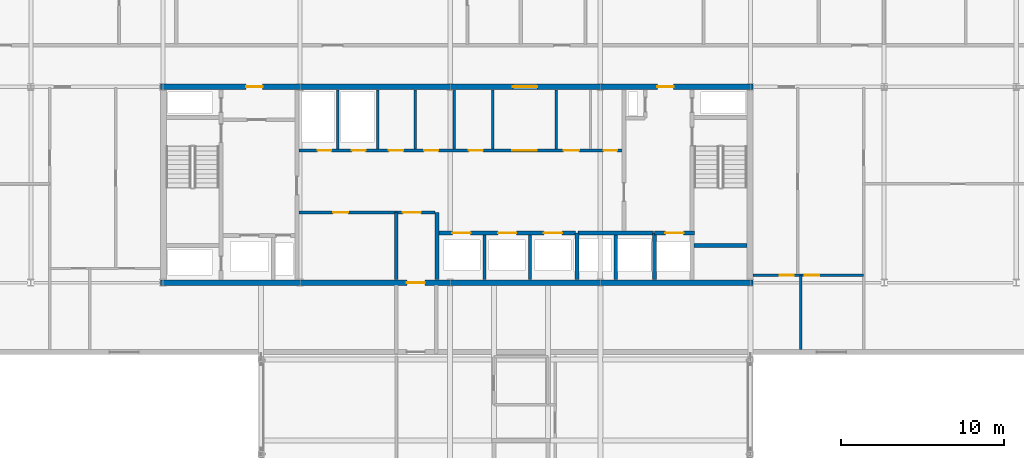
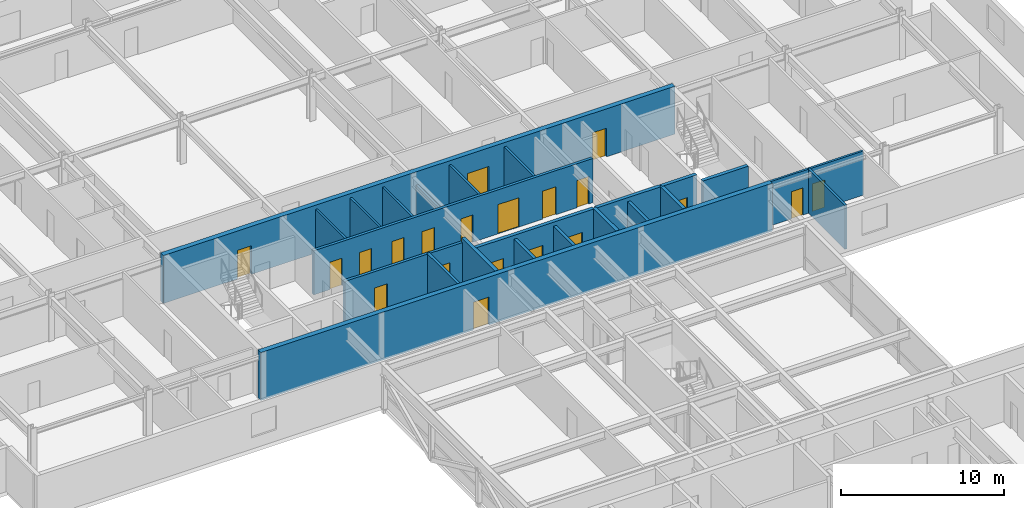
# One storey, part 25 of 36: 23 walls, 20 doors, 20 openings.
"""IFC4 building model written with IfcOpenShell, lengths in metres."""

import ifcopenshell
import ifcopenshell.guid

model = None  # the IFC model being written
_history = None  # IfcOwnerHistory: only IFC2X3 demands one
_inside = {}  # id of a spatial element -> (the spatial element, [elements in it])
_under = {}  # id of a project, library or spatial element -> (it, [spatial elements below it])
_declared = {}  # id of a project -> (the project, [libraries it declares])
_typed = {}  # id of a type object -> (the type object, [elements of that type])
_made_of = {}  # id of a material, layer set ... -> (it, [elements and type objects made of it])


def new_model(schema):
    """Start an empty IFC model of exactly this schema.

    Asked for "IFC4X3", IfcOpenShell would pick the latest addendum, in which some entities
    have other attributes; the version numbers below select the first issue.
    IFC2X3 requires an IfcOwnerHistory on every rooted entity: one is made here for all.
    """
    global model, _history
    if schema == "IFC4X3":
        model = ifcopenshell.file(schema_version=(4, 3, 0, 0))
    else:
        model = ifcopenshell.file(schema=schema)
    _inside.clear()
    _under.clear()
    _declared.clear()
    _typed.clear()
    _made_of.clear()
    _history = None
    if model.schema == "IFC2X3":
        org = make("IfcOrganization", Name="unknown")
        user = make(
            "IfcPersonAndOrganization",
            ThePerson=make("IfcPerson", FamilyName="unknown"),
            TheOrganization=org,
        )
        app = make(
            "IfcApplication",
            ApplicationDeveloper=org,
            Version="unknown",
            ApplicationFullName="unknown",
            ApplicationIdentifier="unknown",
        )
        _history = make(
            "IfcOwnerHistory",
            OwningUser=user,
            OwningApplication=app,
            ChangeAction="ADDED",
            CreationDate=0,
        )
    return model


def make(cls, **values):
    """One entity of the class cls with the attributes given. An attribute that is None is left unset."""
    return model.create_entity(
        cls, **{name: value for name, value in values.items() if value is not None}
    )


def rooted(cls, **values):
    """An entity with a GlobalId (a new one), such as an element, a storey or a relation."""
    return make(cls, GlobalId=ifcopenshell.guid.new(), OwnerHistory=_history, **values)


def si_unit(unit_type, name, prefix=None):
    """IfcSIUnit, for example si_unit("LENGTHUNIT", "METRE", prefix="MILLI")."""
    return make("IfcSIUnit", UnitType=unit_type, Prefix=prefix, Name=name)


def assignment(units):
    """IfcUnitAssignment: the units of a project."""
    return None if units is None else make("IfcUnitAssignment", Units=units)


def point(xyz):
    """IfcCartesianPoint."""
    return None if xyz is None else make("IfcCartesianPoint", Coordinates=xyz)


def direction(xyz):
    """IfcDirection."""
    return None if xyz is None else make("IfcDirection", DirectionRatios=xyz)


def frame(location, z_axis=None, x_axis=None):
    """IfcAxis2Placement3D, a coordinate frame: its origin and axes. An axis left out is left unset."""
    return make(
        "IfcAxis2Placement3D",
        Location=point(location),
        Axis=direction(z_axis),
        RefDirection=direction(x_axis),
    )


def frame_2d(location, x_axis=None):
    """IfcAxis2Placement2D, a coordinate frame in the plane: its origin and x axis."""
    return make(
        "IfcAxis2Placement2D", Location=point(location), RefDirection=direction(x_axis)
    )


def origin():
    """The frame at (0, 0, 0) with its axes left unset."""
    return frame((0.0, 0.0, 0.0))


def place(relative_to, where):
    """IfcLocalPlacement: puts the frame where relative to a parent placement (None: the world)."""
    return make(
        "IfcLocalPlacement", PlacementRelTo=relative_to, RelativePlacement=where
    )


def context(
    kind, dimensions, precision=None, world=None, true_north=None, identifier=None
):
    """IfcGeometricRepresentationContext, for example the 3D "Model" context."""
    return make(
        "IfcGeometricRepresentationContext",
        ContextIdentifier=identifier,
        ContextType=kind,
        CoordinateSpaceDimension=dimensions,
        Precision=precision,
        WorldCoordinateSystem=world,
        TrueNorth=true_north,
    )


def subcontext(parent, identifier, kind, view, scale=None):
    """IfcGeometricRepresentationSubContext, for example "Body" below "Model"."""
    return make(
        "IfcGeometricRepresentationSubContext",
        ContextIdentifier=identifier,
        ContextType=kind,
        ParentContext=parent,
        TargetScale=scale,
        TargetView=view,
    )


def project(units=None, contexts=None):
    """IfcProject with its units and contexts."""
    return rooted(
        "IfcProject",
        Name="project",
        RepresentationContexts=contexts,
        UnitsInContext=assignment(units),
    )


def spatial(cls, under=None, at=None, **own):
    """A site, building, storey or space (cls), placed at a placement, below another one or the project."""
    s = rooted(cls, ObjectPlacement=at, **own)
    if under is not None:
        _under.setdefault(under.id(), (under, []))[1].append(s)
    return s


def profile(cls, at=None, kind="AREA", **sizes):
    """A parametric profile (cls). Its sizes go by their IFC names, for example OverallWidth=200.0."""
    return make(cls, ProfileType=kind, Position=at, **sizes)


def rectangle(**sizes):
    """IfcRectangleProfileDef."""
    return profile("IfcRectangleProfileDef", **sizes)


def extrude(swept, where, along, depth):
    """IfcExtrudedAreaSolid: the profile swept, set in the frame where, extruded along a direction by depth."""
    return make(
        "IfcExtrudedAreaSolid",
        SweptArea=swept,
        Position=where,
        ExtrudedDirection=direction(along),
        Depth=depth,
    )


def shape(context_of_items, identifier, shape_type, items):
    """IfcShapeRepresentation: the items that make up one representation, for example the "Body"."""
    return make(
        "IfcShapeRepresentation",
        ContextOfItems=context_of_items,
        RepresentationIdentifier=identifier,
        RepresentationType=shape_type,
        Items=items,
    )


def material(Name=None, Category=None):
    """IfcMaterial."""
    return make("IfcMaterial", Name=Name, Category=Category)


def layer(
    of_material, thickness, ventilated=None, Name=None, Category=None, Priority=None
):
    """IfcMaterialLayer: one layer of a wall or slab, of a material (None: an air gap)."""
    return make(
        "IfcMaterialLayer",
        Material=of_material,
        LayerThickness=thickness,
        IsVentilated=ventilated,
        Name=Name,
        Category=Category,
        Priority=Priority,
    )


def layer_set(layers, Name=None):
    """IfcMaterialLayerSet."""
    return make("IfcMaterialLayerSet", MaterialLayers=layers, LayerSetName=Name)


def made_of(thing, what):
    """Note that an element or type object is made of a material, layer set ...; save() writes the relation."""
    if what is not None:
        _made_of.setdefault(what.id(), (what, []))[1].append(thing)
    return thing


def type_object(cls, material=None, **own):
    """A type object (cls), such as IfcWallType, which elements share."""
    return made_of(rooted(cls, **own), material)


def element(
    cls,
    number,
    at=None,
    inside=None,
    cuts=None,
    type_object=None,
    material=None,
    context=None,
    identifier="Body",
    shape_type=None,
    held_by="IfcProductDefinitionShape",
    body=None,
    shapes=None,
    **own,
):
    """One element of the class cls, such as IfcWall. Its Tag is "e" and its number.

    at: its placement. inside: the storey or other place that contains it. cuts: it is an
    opening in that element (IfcRelVoidsElement). A single representation is given by context,
    identifier, shape_type and body (its items); several are given by shapes. held_by: the class
    of the entity that holds the representations. save() writes the other relations.
    """
    e = rooted(cls, Tag="e%d" % number, ObjectPlacement=at, **own)
    if body is not None:
        shapes = [shape(context, identifier, shape_type, body)]
    if shapes is not None:
        e.Representation = make(held_by, Representations=shapes)
    if inside is not None:
        _inside.setdefault(inside.id(), (inside, []))[1].append(e)
    if cuts is not None:
        rooted(
            "IfcRelVoidsElement", RelatingBuildingElement=cuts, RelatedOpeningElement=e
        )
    if type_object is not None:
        _typed.setdefault(type_object.id(), (type_object, []))[1].append(e)
    return made_of(e, material)


def fill(opening, filler):
    """IfcRelFillsElement: the door or window that sits in an opening."""
    return rooted(
        "IfcRelFillsElement",
        RelatingOpeningElement=opening,
        RelatedBuildingElement=filler,
    )


def aggregate(whole, parts):
    """IfcRelAggregates: a whole, such as a stair, and the parts it consists of."""
    return rooted("IfcRelAggregates", RelatingObject=whole, RelatedObjects=parts)


def save(model, path):
    """Write the relations noted so far, then the file.

    IfcRelAggregates (storeys below a building ...), IfcRelContainedInSpatialStructure (elements
    in a storey), IfcRelDefinesByType, IfcRelAssociatesMaterial and IfcRelDeclares: one each for
    every whole, place, type object, material and project.
    """
    for whole, parts in _under.values():
        aggregate(whole, parts)
    for where, things in _inside.values():
        rooted(
            "IfcRelContainedInSpatialStructure",
            RelatedElements=things,
            RelatingStructure=where,
        )
    for kind, things in _typed.values():
        rooted("IfcRelDefinesByType", RelatedObjects=things, RelatingType=kind)
    for what, things in _made_of.values():
        rooted("IfcRelAssociatesMaterial", RelatedObjects=things, RelatingMaterial=what)
    for by, libraries in _declared.values():
        rooted("IfcRelDeclares", RelatingContext=by, RelatedDefinitions=libraries)
    model.write(path)


model = new_model("IFC4")

# Units and contexts
model_context = context("Model", 3, precision=1e-05, world=origin(), true_north=direction((0.0, 1.0)))
body_context = subcontext(model_context, "Body", "Model", "MODEL_VIEW")
ifc_project = project(units=[si_unit("LENGTHUNIT", "METRE"), si_unit("AREAUNIT", "SQUARE_METRE"), si_unit("VOLUMEUNIT", "CUBIC_METRE"), si_unit("PLANEANGLEUNIT", "RADIAN"), si_unit("MASSUNIT", "GRAM", prefix="KILO")], contexts=[model_context])

# Site, building, storey
site_placement = place(None, origin())
site = spatial("IfcSite", under=ifc_project, at=site_placement, CompositionType="ELEMENT")
building_placement = place(site_placement, origin())
building = spatial("IfcBuilding", under=site, at=building_placement, Name="Korimba Cascade Residences", CompositionType="ELEMENT")
storey_placement = place(building_placement, frame((0.0, 0.0, 139.300048828125)))
storey = spatial("IfcBuildingStorey", under=building, at=storey_placement, Name="L40", CompositionType="ELEMENT", Elevation=139.300048828125)

# Wall, opening, door
ifc_material_1 = material(Name="Concrete C65/80", Category="concrete")
ifc_layer_1 = layer(ifc_material_1, 0.35009765625)
ifc_layer_set_1 = layer_set([ifc_layer_1], Name="Concrete C65/80")
wall_type_1 = type_object("IfcWallType", Name="WAL-CORE-350", PredefinedType="SHEAR", material=ifc_layer_set_1)
wall_1_placement = place(storey_placement, frame((75.949951171875, 55.199951171875, 0.0), z_axis=(0.0, 0.0, 1.0), x_axis=(1.0, 0.0, 0.0)))
wall_1 = element("IfcWall", 1, at=wall_1_placement, inside=storey, type_object=wall_type_1, Name="L40 Core Shear Wall CW-L40-T1-S", PredefinedType="SHEAR", context=body_context, shape_type="SweptSolid", body=[
    extrude(rectangle(XDim=36.300048828125, YDim=0.35009765625, at=frame_2d((18.14990234375, 0.0))), origin(), (0.0, 0.0, 1.0), 3.599853515625),
])
opening_1_placement = place(wall_1_placement, frame((15.10009765625, 0.0, 0.0)))
opening_1 = element("IfcOpeningElement", 2, at=opening_1_placement, cuts=wall_1, Name="Opening D-FD1", PredefinedType="OPENING", context=body_context, shape_type="SweptSolid", body=[
    extrude(rectangle(XDim=1.10009765625, YDim=2.10009765625, at=frame_2d((0.550048828125, 1.050048828125))), frame((0.0, 0.18505859375, 0.0), z_axis=(0.0, -1.0, 0.0), x_axis=(1.0, 0.0, 0.0)), (0.0, 0.0, 1.0), 0.3701171875),
])
ifc_material_2 = material(Name="Fire-Rated Steel Core Door", Category="steel")
door_type_1 = type_object("IfcDoorType", Name="DR-FD120-1100", OperationType="NOTDEFINED", PredefinedType="DOOR", material=ifc_material_2)
door_1_placement = place(opening_1_placement, origin())
door_1 = element("IfcDoor", 3, at=door_1_placement, inside=storey, type_object=door_type_1, Name="L40 Skybridge to T1 Core Fire Door", OperationType="SINGLE_SWING_LEFT", OverallHeight=2.10009765625, OverallWidth=1.10009765625, PredefinedType="DOOR", context=body_context, shape_type="SweptSolid", body=[
    extrude(rectangle(XDim=1.10009765625, YDim=2.10009765625, at=frame_2d((0.550048828125, 1.050048828125))), frame((0.0, 0.02490234375, 0.0), z_axis=(0.0, -1.0, 0.0), x_axis=(1.0, 0.0, 0.0)), (0.0, 0.0, 1.0), 0.050048828125),
])
fill(opening_1, door_1)

# Wall, openings, doors
wall_2_placement = place(storey_placement, frame((75.949951171875, 67.199951171875, 0.0), z_axis=(0.0, 0.0, 1.0), x_axis=(1.0, 0.0, 0.0)))
wall_2 = element("IfcWall", 4, at=wall_2_placement, inside=storey, type_object=wall_type_1, Name="L40 Core Shear Wall CW-L40-T1-N", PredefinedType="SHEAR", context=body_context, shape_type="SweptSolid", body=[
    extrude(rectangle(XDim=36.300048828125, YDim=0.35009765625, at=frame_2d((18.14990234375, 0.0))), origin(), (0.0, 0.0, 1.0), 3.599853515625),
])
opening_2_placement = place(wall_2_placement, frame((5.25, 0.0, 0.0)))
opening_2 = element("IfcOpeningElement", 5, at=opening_2_placement, cuts=wall_2, Name="Opening D-FD5", PredefinedType="OPENING", context=body_context, shape_type="SweptSolid", body=[
    extrude(rectangle(XDim=1.0, YDim=2.14990234375, at=frame_2d((0.5, 1.074951171875))), frame((0.0, 0.18505859375, 0.0), z_axis=(0.0, -1.0, 0.0), x_axis=(1.0, 0.0, 0.0)), (0.0, 0.0, 1.0), 0.3701171875),
])
opening_3_placement = place(wall_2_placement, frame((21.60009765625, 0.0, 0.0)))
opening_3 = element("IfcOpeningElement", 6, at=opening_3_placement, cuts=wall_2, Name="Opening D-FD8", PredefinedType="OPENING", context=body_context, shape_type="SweptSolid", body=[
    extrude(rectangle(XDim=1.5, YDim=2.199951171875, at=frame_2d((0.75, 1.10009765625))), frame((0.0, 0.18505859375, 0.0), z_axis=(0.0, -1.0, 0.0), x_axis=(1.0, 0.0, 0.0)), (0.0, 0.0, 1.0), 0.3701171875),
])
opening_4_placement = place(wall_2_placement, frame((30.449951171875, 0.0, 0.0)))
opening_4 = element("IfcOpeningElement", 7, at=opening_4_placement, cuts=wall_2, Name="Opening D-FD5", PredefinedType="OPENING", context=body_context, shape_type="SweptSolid", body=[
    extrude(rectangle(XDim=1.0, YDim=2.14990234375, at=frame_2d((0.5, 1.074951171875))), frame((0.0, 0.18505859375, 0.0), z_axis=(0.0, -1.0, 0.0), x_axis=(1.0, 0.0, 0.0)), (0.0, 0.0, 1.0), 0.3701171875),
])
ifc_material_3 = material(Name="Fire-Rated Acoustic Timber Vestibule Door", Category="wood")
door_type_2 = type_object("IfcDoorType", Name="DR-FD90-1000", OperationType="NOTDEFINED", PredefinedType="DOOR", material=ifc_material_3)
door_2_placement = place(opening_2_placement, origin())
door_2 = element("IfcDoor", 8, at=door_2_placement, inside=storey, type_object=door_type_2, Name="L40 T1 West Core Vestibule Fire Door", OperationType="SINGLE_SWING_RIGHT", OverallHeight=2.14990234375, OverallWidth=1.0, PredefinedType="DOOR", context=body_context, shape_type="SweptSolid", body=[
    extrude(rectangle(XDim=1.0, YDim=2.14990234375, at=frame_2d((0.5, 1.074951171875))), frame((0.0, 0.02490234375, 0.0), z_axis=(0.0, -1.0, 0.0), x_axis=(1.0, 0.0, 0.0)), (0.0, 0.0, 1.0), 0.050048828125),
])
fill(opening_2, door_2)
door_3_placement = place(opening_4_placement, origin())
door_3 = element("IfcDoor", 9, at=door_3_placement, inside=storey, type_object=door_type_2, Name="L40 T1 East Firefighting Vestibule Fire Door", OperationType="SINGLE_SWING_LEFT", OverallHeight=2.14990234375, OverallWidth=1.0, PredefinedType="DOOR", context=body_context, shape_type="SweptSolid", body=[
    extrude(rectangle(XDim=1.0, YDim=2.14990234375, at=frame_2d((0.5, 1.074951171875))), frame((0.0, 0.02490234375, 0.0), z_axis=(0.0, -1.0, 0.0), x_axis=(1.0, 0.0, 0.0)), (0.0, 0.0, 1.0), 0.050048828125),
])
fill(opening_4, door_3)
ifc_material_4 = material(Name="Fire-Rated Glazed Lift Lobby Double Door", Category="glass")
door_type_3 = type_object("IfcDoorType", Name="DR-FD90-1500", OperationType="NOTDEFINED", PredefinedType="DOOR", material=ifc_material_4)
door_4_placement = place(opening_3_placement, origin())
door_4 = element("IfcDoor", 10, at=door_4_placement, inside=storey, type_object=door_type_3, Name="L40 T1 Lift Lobby Fire Door", OperationType="DOUBLE_DOOR_SINGLE_SWING", OverallHeight=2.199951171875, OverallWidth=1.5, PredefinedType="DOOR", context=body_context, shape_type="SweptSolid", body=[
    extrude(rectangle(XDim=1.5, YDim=2.199951171875, at=frame_2d((0.75, 1.10009765625))), frame((0.0, 0.02490234375, 0.0), z_axis=(0.0, -1.0, 0.0), x_axis=(1.0, 0.0, 0.0)), (0.0, 0.0, 1.0), 0.050048828125),
])
fill(opening_3, door_4)

# Walls
ifc_material_5 = material(Name="Insulated Acoustic Stud Partition", Category="gypsum")
ifc_layer_2 = layer(ifc_material_5, 0.14990234375)
ifc_layer_set_2 = layer_set([ifc_layer_2], Name="Insulated Acoustic Stud Partition")
wall_type_2 = type_object("IfcWallType", Name="WAL-PART-150", PredefinedType="PARTITIONING", material=ifc_layer_set_2)
for number, where, z_axis, x_axis, name in (
    (11, (86.800048828125, 63.39990234375, 0.0), (0.0, 0.0, 1.0), (0.0, 1.0, 0.0), "L40 Partition Wall CW-L40-T1-ERDIV"),
    (12, (89.25, 63.39990234375, 0.0), (0.0, 0.0, 1.0), (0.0, 1.0, 0.0), "L40 Partition Wall CW-L40-T1-PRDIV"),
    (13, (91.550048828125, 63.39990234375, 0.0), (0.0, 0.0, 1.0), (0.0, 1.0, 0.0), "L40 Partition Wall CW-L40-T1-CA1W1"),
):
    element("IfcWall", number, at=place(storey_placement, frame(where, z_axis=z_axis, x_axis=x_axis)), inside=storey, type_object=wall_type_2, Name=name, PredefinedType="PARTITIONING", context=body_context, shape_type="SweptSolid", body=[
        extrude(rectangle(XDim=3.60009765625, YDim=0.14990234375, at=frame_2d((1.800048828125, 0.0))), origin(), (0.0, 0.0, 1.0), 3.31005859375),
    ])
wall_3_placement = place(storey_placement, frame((93.949951171875, 63.39990234375, 0.0), z_axis=(0.0, 0.0, 1.0), x_axis=(0.0, 1.0, 0.0)))
element("IfcWall", 14, at=wall_3_placement, inside=storey, type_object=wall_type_2, Name="L40 Partition Wall CW-L40-T1-CA1W2", PredefinedType="PARTITIONING", context=body_context, shape_type="SweptSolid", body=[
    extrude(rectangle(XDim=3.60009765625, YDim=0.14990234375, at=frame_2d((1.800048828125, 0.0))), origin(), (0.0, 0.0, 1.0), 2.616943359375),
])
for number, where, z_axis, x_axis, name in (
    (15, (96.300048828125, 63.39990234375, 0.0), (0.0, 0.0, 1.0), (0.0, 1.0, 0.0), "L40 Partition Wall CW-L40-T1-THW"),
    (16, (100.199951171875, 63.39990234375, 0.0), (0.0, 0.0, 1.0), (0.0, 1.0, 0.0), "L40 Partition Wall CW-L40-T1-THE"),
):
    element("IfcWall", number, at=place(storey_placement, frame(where, z_axis=z_axis, x_axis=x_axis)), inside=storey, type_object=wall_type_2, Name=name, PredefinedType="PARTITIONING", context=body_context, shape_type="SweptSolid", body=[
        extrude(rectangle(XDim=3.60009765625, YDim=0.14990234375, at=frame_2d((1.800048828125, 0.0))), origin(), (0.0, 0.0, 1.0), 3.31005859375),
    ])
wall_4_placement = place(storey_placement, frame((115.199951171875, 51.10009765625, 0.0), z_axis=(0.0, 0.0, 1.0), x_axis=(0.0, 1.0, 0.0)))
element("IfcWall", 17, at=wall_4_placement, inside=storey, type_object=wall_type_2, Name="L40 Partition Wall WAL-L40-T1-FE-VS", PredefinedType="PARTITIONING", context=body_context, shape_type="SweptSolid", body=[
    extrude(rectangle(XDim=4.5498046875, YDim=0.14990234375, at=frame_2d((2.27490234375, 0.0))), origin(), (0.0, 0.0, 1.0), 3.31005859375),
])

# Wall, openings, doors
wall_5_placement = place(storey_placement, frame((112.27001953125, 55.64990234375, 0.0), z_axis=(0.0, 0.0, 1.0), x_axis=(1.0, 0.0, 0.0)))
wall_5 = element("IfcWall", 18, at=wall_5_placement, inside=storey, type_object=wall_type_2, Name="L40 Partition Wall WAL-L40-T1-FE-H", PredefinedType="PARTITIONING", context=body_context, shape_type="SweptSolid", body=[
    extrude(rectangle(XDim=6.760009765625, YDim=0.14990234375, at=frame_2d((3.3798828125, 0.0))), origin(), (0.0, 0.0, 1.0), 3.31005859375),
])
opening_5_placement = place(wall_5_placement, frame((1.6396484375, 0.0, 0.0)))
opening_5 = element("IfcOpeningElement", 19, at=opening_5_placement, cuts=wall_5, Name="Opening D-BT1", PredefinedType="OPENING", context=body_context, shape_type="SweptSolid", body=[
    extrude(rectangle(XDim=0.840087890625, YDim=2.0400390625, at=frame_2d((0.419921875, 1.02001953125))), frame((0.0, 0.0849609375, 0.0), z_axis=(0.0, -1.0, 0.0), x_axis=(1.0, 0.0, 0.0)), (0.0, 0.0, 1.0), 0.169921875),
])
opening_6_placement = place(wall_5_placement, frame((3.160400390625, 0.0, 0.0)))
opening_6 = element("IfcOpeningElement", 20, at=opening_6_placement, cuts=wall_5, Name="Opening D-IN2", PredefinedType="OPENING", context=body_context, shape_type="SweptSolid", body=[
    extrude(rectangle(XDim=0.8798828125, YDim=2.06005859375, at=frame_2d((0.43994140625, 1.030029296875))), frame((0.0, 0.0849609375, 0.0), z_axis=(0.0, -1.0, 0.0), x_axis=(1.0, 0.0, 0.0)), (0.0, 0.0, 1.0), 0.169921875),
])
ifc_material_6 = material(Name="Moisture-Resistant Bathroom Timber Door", Category="wood")
door_type_4 = type_object("IfcDoorType", Name="DR-INT-850", OperationType="NOTDEFINED", PredefinedType="DOOR", material=ifc_material_6)
door_5_placement = place(opening_5_placement, origin())
door_5 = element("IfcDoor", 21, at=door_5_placement, inside=storey, type_object=door_type_4, Name="L40-T1-FE Bathroom Door", OperationType="SINGLE_SWING_RIGHT", OverallHeight=2.0400390625, OverallWidth=0.840087890625, PredefinedType="DOOR", context=body_context, shape_type="SweptSolid", body=[
    extrude(rectangle(XDim=0.840087890625, YDim=2.0400390625, at=frame_2d((0.419921875, 1.02001953125))), frame((0.0, 0.02490234375, 0.0), z_axis=(0.0, -1.0, 0.0), x_axis=(1.0, 0.0, 0.0)), (0.0, 0.0, 1.0), 0.050048828125),
])
fill(opening_5, door_5)
ifc_material_7 = material(Name="Acoustic Timber Bedroom Door", Category="wood")
door_type_5 = type_object("IfcDoorType", Name="DR-INT-880", OperationType="NOTDEFINED", PredefinedType="DOOR", material=ifc_material_7)
door_6_placement = place(opening_6_placement, origin())
door_6 = element("IfcDoor", 22, at=door_6_placement, inside=storey, type_object=door_type_5, Name="L40-T1-FE Bedroom Door", OperationType="SINGLE_SWING_LEFT", OverallHeight=2.06005859375, OverallWidth=0.8798828125, PredefinedType="DOOR", context=body_context, shape_type="SweptSolid", body=[
    extrude(rectangle(XDim=0.8798828125, YDim=2.06005859375, at=frame_2d((0.43994140625, 1.030029296875))), frame((0.0, 0.02490234375, 0.0), z_axis=(0.0, -1.0, 0.0), x_axis=(1.0, 0.0, 0.0)), (0.0, 0.0, 1.0), 0.050048828125),
])
fill(opening_6, door_6)

# Wall
ifc_material_8 = material(Name="Concrete C40/50", Category="concrete")
ifc_layer_3 = layer(ifc_material_8, 0.199951171875)
ifc_layer_set_3 = layer_set([ifc_layer_3], Name="Concrete C40/50")
wall_type_3 = type_object("IfcWallType", Name="WAL-PART-200", PredefinedType="PARTITIONING", material=ifc_layer_set_3)
wall_6_placement = place(storey_placement, frame((90.39990234375, 55.39990234375, 0.0), z_axis=(0.0, 0.0, 1.0), x_axis=(0.0, 1.0, 0.0)))
element("IfcWall", 23, at=wall_6_placement, inside=storey, type_object=wall_type_3, Name="L40 Partition Wall CW-L40-T1-BRGPD", PredefinedType="PARTITIONING", context=body_context, shape_type="SweptSolid", body=[
    extrude(rectangle(XDim=4.10009765625, YDim=0.199951171875, at=frame_2d((2.050048828125, 0.0))), origin(), (0.0, 0.0, 1.0), 3.31005859375),
])

# Wall, openings, doors
wall_7_placement = place(storey_placement, frame((84.419921875, 59.5, 0.0), z_axis=(0.0, 0.0, 1.0), x_axis=(1.0, 0.0, 0.0)))
wall_7 = element("IfcWall", 24, at=wall_7_placement, inside=storey, type_object=wall_type_3, Name="L40 Partition Wall CW-L40-T1-B1RN", PredefinedType="PARTITIONING", context=body_context, shape_type="SweptSolid", body=[
    extrude(rectangle(XDim=8.360107421875, YDim=0.199951171875, at=frame_2d((4.18017578125, 0.0))), origin(), (0.0, 0.0, 1.0), 3.31005859375),
])
opening_7_placement = place(wall_7_placement, frame((2.10009765625, 0.0, 0.0)))
opening_7 = element("IfcOpeningElement", 25, at=opening_7_placement, cuts=wall_7, Name="Opening D-ST1", PredefinedType="OPENING", context=body_context, shape_type="SweptSolid", body=[
    extrude(rectangle(XDim=0.919921875, YDim=2.080078125, at=frame_2d((0.4599609375, 1.0400390625))), frame((0.0, 0.10986328125, 0.0), z_axis=(0.0, -1.0, 0.0), x_axis=(1.0, 0.0, 0.0)), (0.0, 0.0, 1.0), 0.219970703125),
])
opening_8_placement = place(wall_7_placement, frame((6.3798828125, 0.0, 0.0)))
opening_8 = element("IfcOpeningElement", 26, at=opening_8_placement, cuts=wall_7, Name="Opening D-FD1", PredefinedType="OPENING", context=body_context, shape_type="SweptSolid", body=[
    extrude(rectangle(XDim=1.10009765625, YDim=2.10009765625, at=frame_2d((0.550048828125, 1.050048828125))), frame((0.0, 0.10986328125, 0.0), z_axis=(0.0, -1.0, 0.0), x_axis=(1.0, 0.0, 0.0)), (0.0, 0.0, 1.0), 0.219970703125),
])
door_7_placement = place(opening_8_placement, origin())
door_7 = element("IfcDoor", 27, at=door_7_placement, inside=storey, type_object=door_type_1, Name="L40 Skybridge Vestibule to Lift Lobby Door", OperationType="SINGLE_SWING_LEFT", OverallHeight=2.10009765625, OverallWidth=1.10009765625, PredefinedType="DOOR", context=body_context, shape_type="SweptSolid", body=[
    extrude(rectangle(XDim=1.10009765625, YDim=2.10009765625, at=frame_2d((0.550048828125, 1.050048828125))), frame((0.0, 0.02490234375, 0.0), z_axis=(0.0, -1.0, 0.0), x_axis=(1.0, 0.0, 0.0)), (0.0, 0.0, 1.0), 0.050048828125),
])
fill(opening_8, door_7)
ifc_material_9 = material(Name="Fire-Rated Core Store Door", Category="wood")
door_type_6 = type_object("IfcDoorType", Name="DR-FD60-920", OperationType="NOTDEFINED", PredefinedType="DOOR", material=ifc_material_9)
door_8_placement = place(opening_7_placement, origin())
door_8 = element("IfcDoor", 28, at=door_8_placement, inside=storey, type_object=door_type_6, Name="L40 Resident Storage Door", OperationType="SINGLE_SWING_RIGHT", OverallHeight=2.080078125, OverallWidth=0.919921875, PredefinedType="DOOR", context=body_context, shape_type="SweptSolid", body=[
    extrude(rectangle(XDim=0.919921875, YDim=2.080078125, at=frame_2d((0.4599609375, 1.0400390625))), frame((0.0, 0.02490234375, 0.0), z_axis=(0.0, -1.0, 0.0), x_axis=(1.0, 0.0, 0.0)), (0.0, 0.0, 1.0), 0.050048828125),
])
fill(opening_7, door_8)

# Walls
for number, where, z_axis, x_axis, name in (
    (29, (95.800048828125, 55.39990234375, 0.0), (0.0, 0.0, 1.0), (0.0, 1.0, 0.0), "L40 Partition Wall CW-L40-T1-B2D1"),
    (30, (98.60009765625, 55.39990234375, 0.0), (0.0, 0.0, 1.0), (0.0, 1.0, 0.0), "L40 Partition Wall CW-L40-T1-B2D2"),
    (31, (103.85009765625, 55.39990234375, 0.0), (0.0, 0.0, 1.0), (0.0, 1.0, 0.0), "L40 Partition Wall CW-L40-T1-B3D1"),
):
    element("IfcWall", number, at=place(storey_placement, frame(where, z_axis=z_axis, x_axis=x_axis)), inside=storey, type_object=wall_type_3, Name=name, PredefinedType="PARTITIONING", context=body_context, shape_type="SweptSolid", body=[
        extrude(rectangle(XDim=2.72021484375, YDim=0.199951171875, at=frame_2d((1.360107421875, 0.0))), origin(), (0.0, 0.0, 1.0), 3.31005859375),
    ])

# Wall, openings, doors
wall_8_placement = place(storey_placement, frame((84.419921875, 63.300048828125, 0.0), z_axis=(0.0, 0.0, 1.0), x_axis=(1.0, 0.0, 0.0)))
wall_8 = element("IfcWall", 32, at=wall_8_placement, inside=storey, type_object=wall_type_3, Name="L40 Partition Wall CW-L40-T1-SRVROW", PredefinedType="PARTITIONING", context=body_context, shape_type="SweptSolid", body=[
    extrude(rectangle(XDim=19.830078125, YDim=0.199951171875, at=frame_2d((9.9150390625, 0.0))), origin(), (0.0, 0.0, 1.0), 3.31005859375),
])
opening_9_placement = place(wall_8_placement, frame((1.14990234375, 0.0, 0.0)))
opening_9 = element("IfcOpeningElement", 33, at=opening_9_placement, cuts=wall_8, Name="Opening D-RS1", PredefinedType="OPENING", context=body_context, shape_type="SweptSolid", body=[
    extrude(rectangle(XDim=0.85009765625, YDim=2.050048828125, at=frame_2d((0.425048828125, 1.02490234375))), frame((0.0, 0.10986328125, 0.0), z_axis=(0.0, -1.0, 0.0), x_axis=(1.0, 0.0, 0.0)), (0.0, 0.0, 1.0), 0.219970703125),
])
opening_10_placement = place(wall_8_placement, frame((3.25, 0.0, 0.0)))
opening_10 = element("IfcOpeningElement", 34, at=opening_10_placement, cuts=wall_8, Name="Opening D-RS1", PredefinedType="OPENING", context=body_context, shape_type="SweptSolid", body=[
    extrude(rectangle(XDim=0.85009765625, YDim=2.050048828125, at=frame_2d((0.425048828125, 1.02490234375))), frame((0.0, 0.10986328125, 0.0), z_axis=(0.0, -1.0, 0.0), x_axis=(1.0, 0.0, 0.0)), (0.0, 0.0, 1.0), 0.219970703125),
])
opening_11_placement = place(wall_8_placement, frame((13.080078125, 0.0, 0.0)))
opening_11 = element("IfcOpeningElement", 35, at=opening_11_placement, cuts=wall_8, Name="Opening D-FD8", PredefinedType="OPENING", context=body_context, shape_type="SweptSolid", body=[
    extrude(rectangle(XDim=1.5, YDim=2.199951171875, at=frame_2d((0.75, 1.10009765625))), frame((0.0, 0.10986328125, 0.0), z_axis=(0.0, -1.0, 0.0), x_axis=(1.0, 0.0, 0.0)), (0.0, 0.0, 1.0), 0.219970703125),
])
opening_12_placement = place(wall_8_placement, frame((5.530029296875, 0.0, 0.0)))
opening_12 = element("IfcOpeningElement", 36, at=opening_12_placement, cuts=wall_8, Name="Opening D-IN2", PredefinedType="OPENING", context=body_context, shape_type="SweptSolid", body=[
    extrude(rectangle(XDim=0.8798828125, YDim=2.06005859375, at=frame_2d((0.43994140625, 1.030029296875))), frame((0.0, 0.10986328125, 0.0), z_axis=(0.0, -1.0, 0.0), x_axis=(1.0, 0.0, 0.0)), (0.0, 0.0, 1.0), 0.219970703125),
])
opening_13_placement = place(wall_8_placement, frame((7.679931640625, 0.0, 0.0)))
opening_13 = element("IfcOpeningElement", 37, at=opening_13_placement, cuts=wall_8, Name="Opening D-IN2", PredefinedType="OPENING", context=body_context, shape_type="SweptSolid", body=[
    extrude(rectangle(XDim=0.8798828125, YDim=2.06005859375, at=frame_2d((0.43994140625, 1.030029296875))), frame((0.0, 0.10986328125, 0.0), z_axis=(0.0, -1.0, 0.0), x_axis=(1.0, 0.0, 0.0)), (0.0, 0.0, 1.0), 0.219970703125),
])
opening_14_placement = place(wall_8_placement, frame((10.429931640625, 0.0, 0.0)))
opening_14 = element("IfcOpeningElement", 38, at=opening_14_placement, cuts=wall_8, Name="Opening D-RS1", PredefinedType="OPENING", context=body_context, shape_type="SweptSolid", body=[
    extrude(rectangle(XDim=0.85009765625, YDim=2.050048828125, at=frame_2d((0.425048828125, 1.02490234375))), frame((0.0, 0.10986328125, 0.0), z_axis=(0.0, -1.0, 0.0), x_axis=(1.0, 0.0, 0.0)), (0.0, 0.0, 1.0), 0.219970703125),
])
opening_15_placement = place(wall_8_placement, frame((16.22998046875, 0.0, 0.0)))
opening_15 = element("IfcOpeningElement", 39, at=opening_15_placement, cuts=wall_8, Name="Opening D-AC1", PredefinedType="OPENING", context=body_context, shape_type="SweptSolid", body=[
    extrude(rectangle(XDim=0.9599609375, YDim=2.10009765625, at=frame_2d((0.47998046875, 1.050048828125))), frame((0.0, 0.10986328125, 0.0), z_axis=(0.0, -1.0, 0.0), x_axis=(1.0, 0.0, 0.0)), (0.0, 0.0, 1.0), 0.219970703125),
])
opening_16_placement = place(wall_8_placement, frame((18.679931640625, 0.0, 0.0)))
opening_16 = element("IfcOpeningElement", 40, at=opening_16_placement, cuts=wall_8, Name="Opening D-BT1", PredefinedType="OPENING", context=body_context, shape_type="SweptSolid", body=[
    extrude(rectangle(XDim=0.840087890625, YDim=2.0400390625, at=frame_2d((0.419921875, 1.02001953125))), frame((0.0, 0.10986328125, 0.0), z_axis=(0.0, -1.0, 0.0), x_axis=(1.0, 0.0, 0.0)), (0.0, 0.0, 1.0), 0.219970703125),
])
ifc_material_10 = material(Name="Accessible Acoustic Timber WC Door", Category="wood")
door_type_7 = type_object("IfcDoorType", Name="DR-ACC-950", OperationType="NOTDEFINED", PredefinedType="DOOR", material=ifc_material_10)
door_9_placement = place(opening_15_placement, origin())
door_9 = element("IfcDoor", 41, at=door_9_placement, inside=storey, type_object=door_type_7, Name="L40 Accessible Staff WC Door", OperationType="SINGLE_SWING_LEFT", OverallHeight=2.10009765625, OverallWidth=0.9599609375, PredefinedType="DOOR", context=body_context, shape_type="SweptSolid", body=[
    extrude(rectangle(XDim=0.9599609375, YDim=2.10009765625, at=frame_2d((0.47998046875, 1.050048828125))), frame((0.0, 0.02490234375, 0.0), z_axis=(0.0, -1.0, 0.0), x_axis=(1.0, 0.0, 0.0)), (0.0, 0.0, 1.0), 0.050048828125),
])
fill(opening_15, door_9)
ifc_material_11 = material(Name="Fire-Rated Steel Riser Access Door", Category="steel")
door_type_8 = type_object("IfcDoorType", Name="DR-FD60-850", OperationType="NOTDEFINED", PredefinedType="DOOR", material=ifc_material_11)
door_10_placement = place(opening_9_placement, origin())
door_10 = element("IfcDoor", 42, at=door_10_placement, inside=storey, type_object=door_type_8, Name="L40 Electrical Riser Door", OperationType="SINGLE_SWING_RIGHT", OverallHeight=2.050048828125, OverallWidth=0.85009765625, PredefinedType="DOOR", context=body_context, shape_type="SweptSolid", body=[
    extrude(rectangle(XDim=0.85009765625, YDim=2.050048828125, at=frame_2d((0.425048828125, 1.02490234375))), frame((0.0, 0.02490234375, 0.0), z_axis=(0.0, -1.0, 0.0), x_axis=(1.0, 0.0, 0.0)), (0.0, 0.0, 1.0), 0.050048828125),
])
fill(opening_9, door_10)
door_11_placement = place(opening_10_placement, origin())
door_11 = element("IfcDoor", 43, at=door_11_placement, inside=storey, type_object=door_type_8, Name="L40 Plumbing Riser Door", OperationType="SINGLE_SWING_LEFT", OverallHeight=2.050048828125, OverallWidth=0.85009765625, PredefinedType="DOOR", context=body_context, shape_type="SweptSolid", body=[
    extrude(rectangle(XDim=0.85009765625, YDim=2.050048828125, at=frame_2d((0.425048828125, 1.02490234375))), frame((0.0, 0.02490234375, 0.0), z_axis=(0.0, -1.0, 0.0), x_axis=(1.0, 0.0, 0.0)), (0.0, 0.0, 1.0), 0.050048828125),
])
fill(opening_10, door_11)
door_12_placement = place(opening_14_placement, origin())
door_12 = element("IfcDoor", 44, at=door_12_placement, inside=storey, type_object=door_type_8, Name="L40 IT Room Door", OperationType="SINGLE_SWING_RIGHT", OverallHeight=2.050048828125, OverallWidth=0.85009765625, PredefinedType="DOOR", context=body_context, shape_type="SweptSolid", body=[
    extrude(rectangle(XDim=0.85009765625, YDim=2.050048828125, at=frame_2d((0.425048828125, 1.02490234375))), frame((0.0, 0.02490234375, 0.0), z_axis=(0.0, -1.0, 0.0), x_axis=(1.0, 0.0, 0.0)), (0.0, 0.0, 1.0), 0.050048828125),
])
fill(opening_14, door_12)
door_13_placement = place(opening_11_placement, origin())
door_13 = element("IfcDoor", 45, at=door_13_placement, inside=storey, type_object=door_type_3, Name="L40 Lift Lobby Foyer Archway Door", OperationType="DOUBLE_DOOR_SINGLE_SWING", OverallHeight=2.199951171875, OverallWidth=1.5, PredefinedType="DOOR", context=body_context, shape_type="SweptSolid", body=[
    extrude(rectangle(XDim=1.5, YDim=2.199951171875, at=frame_2d((0.75, 1.10009765625))), frame((0.0, 0.02490234375, 0.0), z_axis=(0.0, -1.0, 0.0), x_axis=(1.0, 0.0, 0.0)), (0.0, 0.0, 1.0), 0.050048828125),
])
fill(opening_11, door_13)
door_14_placement = place(opening_16_placement, origin())
door_14 = element("IfcDoor", 46, at=door_14_placement, inside=storey, type_object=door_type_4, Name="L40 Vending Room Door", OperationType="SINGLE_SWING_RIGHT", OverallHeight=2.0400390625, OverallWidth=0.840087890625, PredefinedType="DOOR", context=body_context, shape_type="SweptSolid", body=[
    extrude(rectangle(XDim=0.840087890625, YDim=2.0400390625, at=frame_2d((0.419921875, 1.02001953125))), frame((0.0, 0.02490234375, 0.0), z_axis=(0.0, -1.0, 0.0), x_axis=(1.0, 0.0, 0.0)), (0.0, 0.0, 1.0), 0.050048828125),
])
fill(opening_16, door_14)
door_15_placement = place(opening_12_placement, origin())
door_15 = element("IfcDoor", 47, at=door_15_placement, inside=storey, type_object=door_type_5, Name="L40 Cleaners Door", OperationType="SINGLE_SWING_RIGHT", OverallHeight=2.06005859375, OverallWidth=0.8798828125, PredefinedType="DOOR", context=body_context, shape_type="SweptSolid", body=[
    extrude(rectangle(XDim=0.8798828125, YDim=2.06005859375, at=frame_2d((0.43994140625, 1.030029296875))), frame((0.0, 0.02490234375, 0.0), z_axis=(0.0, -1.0, 0.0), x_axis=(1.0, 0.0, 0.0)), (0.0, 0.0, 1.0), 0.050048828125),
])
fill(opening_12, door_15)
door_16_placement = place(opening_13_placement, origin())
door_16 = element("IfcDoor", 48, at=door_16_placement, inside=storey, type_object=door_type_5, Name="L40 Pantry Door", OperationType="SINGLE_SWING_LEFT", OverallHeight=2.06005859375, OverallWidth=0.8798828125, PredefinedType="DOOR", context=body_context, shape_type="SweptSolid", body=[
    extrude(rectangle(XDim=0.8798828125, YDim=2.06005859375, at=frame_2d((0.43994140625, 1.030029296875))), frame((0.0, 0.02490234375, 0.0), z_axis=(0.0, -1.0, 0.0), x_axis=(1.0, 0.0, 0.0)), (0.0, 0.0, 1.0), 0.050048828125),
])
fill(opening_13, door_16)

# Wall
ifc_material_12 = material(Name="Concrete C50/60", Category="concrete")
ifc_layer_4 = layer(ifc_material_12, 0.25)
ifc_layer_set_4 = layer_set([ifc_layer_4], Name="Concrete C50/60")
wall_type_4 = type_object("IfcWallType", Name="WAL-SHAFT-250", PredefinedType="SHEAR", material=ifc_layer_set_4)
wall_9_placement = place(storey_placement, frame((92.89990234375, 55.39990234375, 0.0), z_axis=(0.0, 0.0, 1.0), x_axis=(0.0, 1.0, 0.0)))
element("IfcWall", 49, at=wall_9_placement, inside=storey, type_object=wall_type_4, Name="L40 Core Shear Wall CW-L40-T1-B12DIV", PredefinedType="SHEAR", context=body_context, shape_type="SweptSolid", body=[
    extrude(rectangle(XDim=4.10009765625, YDim=0.25, at=frame_2d((2.050048828125, 0.0))), origin(), (0.0, 0.0, 1.0), 3.599853515625),
])

# Wall, openings, doors
wall_10_placement = place(storey_placement, frame((93.02001953125, 58.25, 0.0), z_axis=(0.0, 0.0, 1.0), x_axis=(1.0, 0.0, 0.0)))
wall_10 = element("IfcWall", 50, at=wall_10_placement, inside=storey, type_object=wall_type_4, Name="L40 Core Shear Wall CW-L40-T1-B2N", PredefinedType="SHEAR", context=body_context, shape_type="SweptSolid", body=[
    extrude(rectangle(XDim=8.35986328125, YDim=0.25, at=frame_2d((4.179931640625, 0.0))), origin(), (0.0, 0.0, 1.0), 3.599853515625),
])
opening_17_placement = place(wall_10_placement, frame((0.820068359375, 0.0, 0.0)))
opening_17 = element("IfcOpeningElement", 51, at=opening_17_placement, cuts=wall_10, Name="Opening LD-01", PredefinedType="OPENING", context=body_context, shape_type="SweptSolid", body=[
    extrude(rectangle(XDim=1.1201171875, YDim=2.1201171875, at=frame_2d((0.56005859375, 1.06005859375))), frame((0.0, 0.135009765625, 0.0), z_axis=(0.0, -1.0, 0.0), x_axis=(1.0, 0.0, 0.0)), (0.0, 0.0, 1.0), 0.27001953125),
])
opening_18_placement = place(wall_10_placement, frame((3.6201171875, 0.0, 0.0)))
opening_18 = element("IfcOpeningElement", 52, at=opening_18_placement, cuts=wall_10, Name="Opening LD-01", PredefinedType="OPENING", context=body_context, shape_type="SweptSolid", body=[
    extrude(rectangle(XDim=1.1201171875, YDim=2.1201171875, at=frame_2d((0.56005859375, 1.06005859375))), frame((0.0, 0.135009765625, 0.0), z_axis=(0.0, -1.0, 0.0), x_axis=(1.0, 0.0, 0.0)), (0.0, 0.0, 1.0), 0.27001953125),
])
opening_19_placement = place(wall_10_placement, frame((6.419921875, 0.0, 0.0)))
opening_19 = element("IfcOpeningElement", 53, at=opening_19_placement, cuts=wall_10, Name="Opening LD-01", PredefinedType="OPENING", context=body_context, shape_type="SweptSolid", body=[
    extrude(rectangle(XDim=1.1201171875, YDim=2.1201171875, at=frame_2d((0.56005859375, 1.06005859375))), frame((0.0, 0.135009765625, 0.0), z_axis=(0.0, -1.0, 0.0), x_axis=(1.0, 0.0, 0.0)), (0.0, 0.0, 1.0), 0.27001953125),
])
ifc_material_13 = material(Name="Stainless Steel Lift Landing Sliding Door", Category="steel")
door_type_9 = type_object("IfcDoorType", Name="DR-LIFT-1100", OperationType="NOTDEFINED", PredefinedType="DOOR", material=ifc_material_13)
door_17_placement = place(opening_17_placement, origin())
door_17 = element("IfcDoor", 54, at=door_17_placement, inside=storey, type_object=door_type_9, Name="L40 Lift Landing Door PL-W4", OperationType="SLIDING_TO_RIGHT", OverallHeight=2.1201171875, OverallWidth=1.1201171875, PredefinedType="DOOR", context=body_context, shape_type="SweptSolid", body=[
    extrude(rectangle(XDim=1.1201171875, YDim=2.1201171875, at=frame_2d((0.56005859375, 1.06005859375))), frame((0.0, 0.02490234375, 0.0), z_axis=(0.0, -1.0, 0.0), x_axis=(1.0, 0.0, 0.0)), (0.0, 0.0, 1.0), 0.050048828125),
])
fill(opening_17, door_17)
door_18_placement = place(opening_18_placement, origin())
door_18 = element("IfcDoor", 55, at=door_18_placement, inside=storey, type_object=door_type_9, Name="L40 Lift Landing Door PL-W5", OperationType="SLIDING_TO_RIGHT", OverallHeight=2.1201171875, OverallWidth=1.1201171875, PredefinedType="DOOR", context=body_context, shape_type="SweptSolid", body=[
    extrude(rectangle(XDim=1.1201171875, YDim=2.1201171875, at=frame_2d((0.56005859375, 1.06005859375))), frame((0.0, 0.02490234375, 0.0), z_axis=(0.0, -1.0, 0.0), x_axis=(1.0, 0.0, 0.0)), (0.0, 0.0, 1.0), 0.050048828125),
])
fill(opening_18, door_18)
door_19_placement = place(opening_19_placement, origin())
door_19 = element("IfcDoor", 56, at=door_19_placement, inside=storey, type_object=door_type_9, Name="L40 Lift Landing Door PL-W6", OperationType="SLIDING_TO_RIGHT", OverallHeight=2.1201171875, OverallWidth=1.1201171875, PredefinedType="DOOR", context=body_context, shape_type="SweptSolid", body=[
    extrude(rectangle(XDim=1.1201171875, YDim=2.1201171875, at=frame_2d((0.56005859375, 1.06005859375))), frame((0.0, 0.02490234375, 0.0), z_axis=(0.0, -1.0, 0.0), x_axis=(1.0, 0.0, 0.0)), (0.0, 0.0, 1.0), 0.050048828125),
])
fill(opening_19, door_19)

# Walls
wall_11_placement = place(storey_placement, frame((101.47998046875, 55.39990234375, 0.0), z_axis=(0.0, 0.0, 1.0), x_axis=(0.0, 1.0, 0.0)))
element("IfcWall", 57, at=wall_11_placement, inside=storey, type_object=wall_type_4, Name="L40 Core Shear Wall CW-L40-T1-B23DIV", PredefinedType="SHEAR", context=body_context, shape_type="SweptSolid", body=[
    extrude(rectangle(XDim=2.85009765625, YDim=0.25, at=frame_2d((1.425048828125, 0.0))), origin(), (0.0, 0.0, 1.0), 3.599853515625),
])
wall_12_placement = place(storey_placement, frame((101.550048828125, 58.25, 0.0), z_axis=(0.0, 0.0, 1.0), x_axis=(1.0, 0.0, 0.0)))
element("IfcWall", 58, at=wall_12_placement, inside=storey, type_object=wall_type_4, Name="L40 Core Shear Wall CW-L40-T1-B3N", PredefinedType="SHEAR", context=body_context, shape_type="SweptSolid", body=[
    extrude(rectangle(XDim=4.599853515625, YDim=0.25, at=frame_2d((2.2998046875, 0.0))), origin(), (0.0, 0.0, 1.0), 3.599853515625),
])
wall_13_placement = place(storey_placement, frame((106.219970703125, 55.39990234375, 0.0), z_axis=(0.0, 0.0, 1.0), x_axis=(0.0, 1.0, 0.0)))
element("IfcWall", 59, at=wall_13_placement, inside=storey, type_object=wall_type_4, Name="L40 Core Shear Wall CW-L40-T1-FF2W", PredefinedType="SHEAR", context=body_context, shape_type="SweptSolid", body=[
    extrude(rectangle(XDim=2.85009765625, YDim=0.25, at=frame_2d((1.425048828125, 0.0))), origin(), (0.0, 0.0, 1.0), 3.599853515625),
])

# Wall, opening, door
wall_14_placement = place(storey_placement, frame((106.219970703125, 58.25, 0.0), z_axis=(0.0, 0.0, 1.0), x_axis=(1.0, 0.0, 0.0)))
wall_14 = element("IfcWall", 60, at=wall_14_placement, inside=storey, type_object=wall_type_4, Name="L40 Core Shear Wall CW-L40-T1-FF2N", PredefinedType="SHEAR", context=body_context, shape_type="SweptSolid", body=[
    extrude(rectangle(XDim=2.4599609375, YDim=0.25, at=frame_2d((1.22998046875, 0.0))), origin(), (0.0, 0.0, 1.0), 3.599853515625),
])
opening_20_placement = place(wall_14_placement, frame((0.669921875, 0.0, 0.0)))
opening_20 = element("IfcOpeningElement", 61, at=opening_20_placement, cuts=wall_14, Name="Opening LD-01", PredefinedType="OPENING", context=body_context, shape_type="SweptSolid", body=[
    extrude(rectangle(XDim=1.1201171875, YDim=2.1201171875, at=frame_2d((0.56005859375, 1.06005859375))), frame((0.0, 0.135009765625, 0.0), z_axis=(0.0, -1.0, 0.0), x_axis=(1.0, 0.0, 0.0)), (0.0, 0.0, 1.0), 0.27001953125),
])
door_20_placement = place(opening_20_placement, origin())
door_20 = element("IfcDoor", 62, at=door_20_placement, inside=storey, type_object=door_type_9, Name="L40 Firefighting Lift Landing Door FFL-W2", OperationType="SLIDING_TO_RIGHT", OverallHeight=2.1201171875, OverallWidth=1.1201171875, PredefinedType="DOOR", context=body_context, shape_type="SweptSolid", body=[
    extrude(rectangle(XDim=1.1201171875, YDim=2.1201171875, at=frame_2d((0.56005859375, 1.06005859375))), frame((0.0, 0.02490234375, 0.0), z_axis=(0.0, -1.0, 0.0), x_axis=(1.0, 0.0, 0.0)), (0.0, 0.0, 1.0), 0.050048828125),
])
fill(opening_20, door_20)

# Wall
wall_15_placement = place(storey_placement, frame((108.659912109375, 57.47509765625, 0.0), z_axis=(0.0, 0.0, 1.0), x_axis=(1.0, 0.0, 0.0)))
element("IfcWall", 63, at=wall_15_placement, inside=storey, type_object=wall_type_4, Name="L40 Core Shear Wall CW-L40-T1-STW2S", PredefinedType="SHEAR", context=body_context, shape_type="SweptSolid", body=[
    extrude(rectangle(XDim=3.239990234375, YDim=0.25, at=frame_2d((1.6201171875, 0.0))), origin(), (0.0, 0.0, 1.0), 3.599853515625),
])

save(model, "model.ifc")
